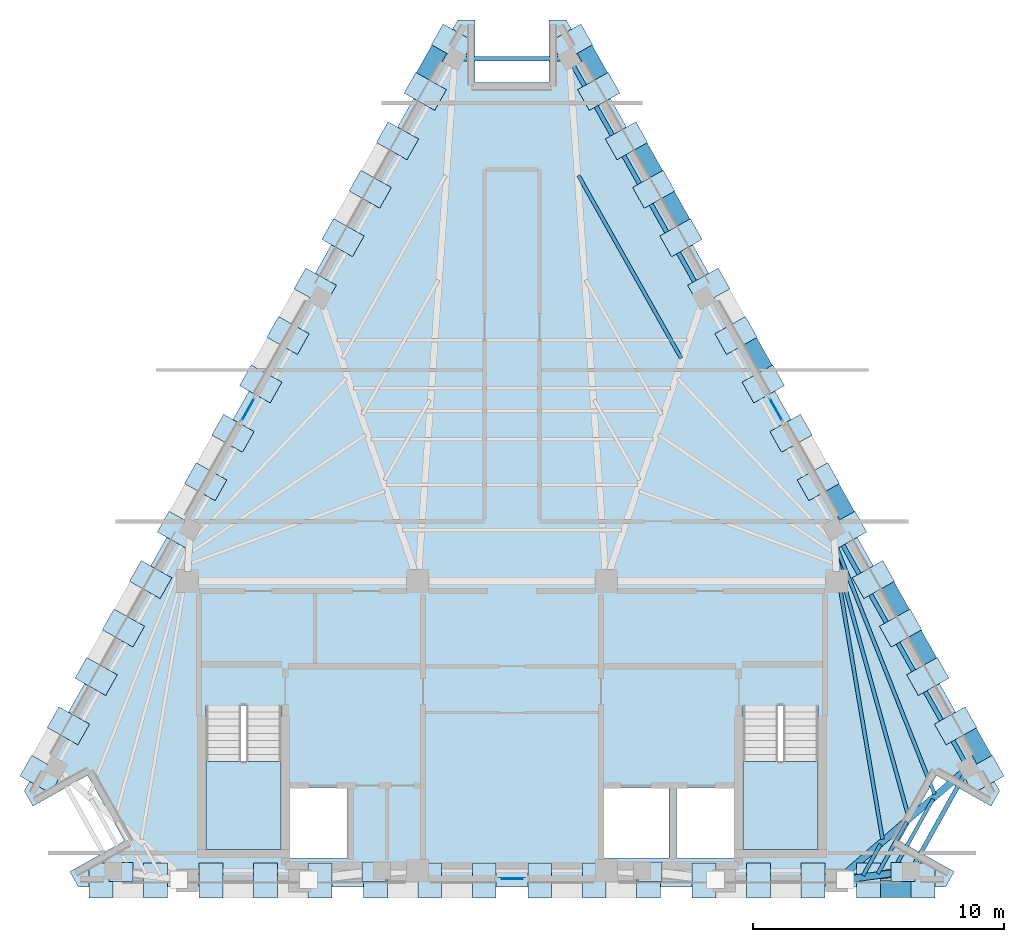
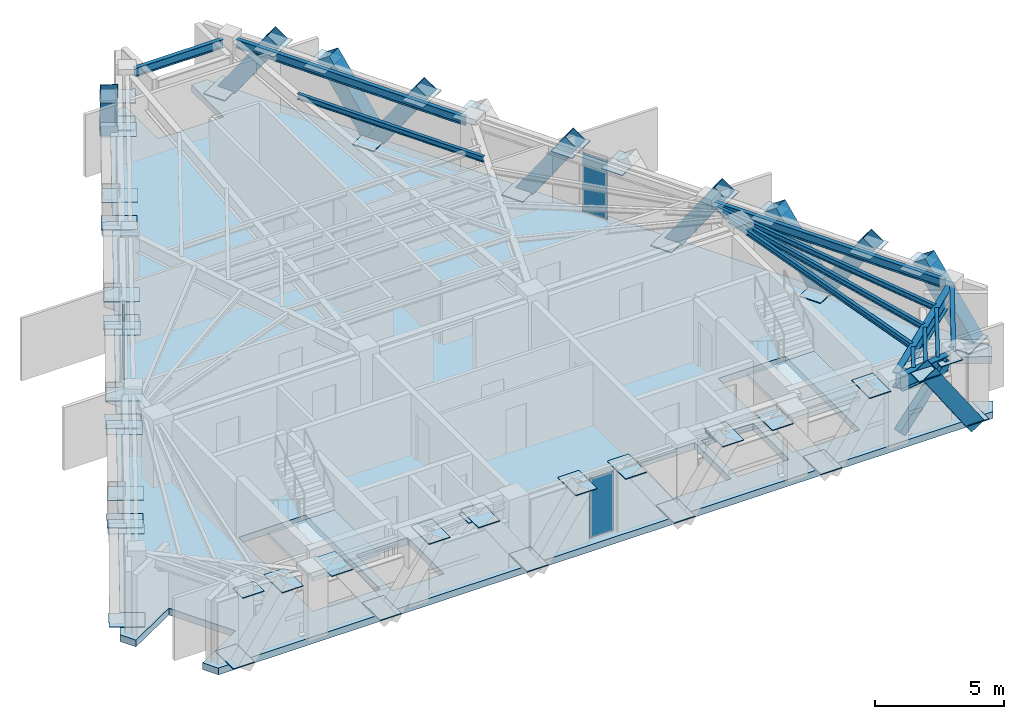
# One storey, part 3 of 7: 55 plates, 13 beams, 11 members, 3 slabs, 5 elements without a shape of their own.
"""IFC4 building model written with IfcOpenShell, lengths in metres."""

from ifc_helpers import new_model, si_unit, direction, frame, origin, origin_2d, place, context, subcontext, project, spatial, polyline, rectangle, hollow_rectangle, i_section, outline, extrude, material, layer, layer_set, material_profile, profile_set, type_object, element, aggregate, save


model = new_model("IFC4")

# Units and contexts
model_context = context("Model", 3, precision=1e-05, world=origin(), true_north=direction((0.0, 1.0)))
body_context = subcontext(model_context, "Body", "Model", "MODEL_VIEW")
ifc_project = project(units=[si_unit("LENGTHUNIT", "METRE"), si_unit("AREAUNIT", "SQUARE_METRE"), si_unit("VOLUMEUNIT", "CUBIC_METRE"), si_unit("PLANEANGLEUNIT", "RADIAN"), si_unit("MASSUNIT", "GRAM", prefix="KILO")], contexts=[model_context])

# Site, building, storey
site_placement = place(None, origin())
site = spatial("IfcSite", under=ifc_project, at=site_placement, CompositionType="ELEMENT")
building_placement = place(site_placement, origin())
building = spatial("IfcBuilding", under=site, at=building_placement, Name="Quenlor Broadcast Tower", CompositionType="ELEMENT")
storey_placement = place(building_placement, frame((0.0, 0.0, 280.5)))
storey = spatial("IfcBuildingStorey", under=building, at=storey_placement, Name="L78", CompositionType="ELEMENT", Elevation=280.5)

# Beams
ifc_material_1 = material(Name="Steel S355", Category="steel")
ifc_material_profile_1 = material_profile(ifc_material_1, i_section(OverallWidth=0.14599609375, OverallDepth=0.256103515625, WebThickness=0.00634765625, FlangeThickness=0.010986328125, FilletRadius=0.0087890625, at=origin_2d()))
ifc_profile_set_1 = profile_set([ifc_material_profile_1], Name="Steel S355 250UB37.3")
beam_type_1 = type_object("IfcBeamType", Name="Crown Deck Joist Steel S355 250UB37.3", PredefinedType="JOIST", material=ifc_profile_set_1)
beam_1_placement = place(storey_placement, frame((14.76806640625, -15.09619140625, 2.822021484375), z_axis=(-0.166553293246, 0.986032454085, 0.0), x_axis=(-0.986032454085, -0.166553293246, 0.0)))
element("IfcBeam", 1, at=beam_1_placement, inside=storey, type_object=beam_type_1, Name="L78 Secondary Composite Joist 16", PredefinedType="JOIST", context=body_context, shape_type="SweptSolid", body=[
    extrude(i_section(OverallWidth=0.14599609375, OverallDepth=0.256103515625, WebThickness=0.00634765625, FlangeThickness=0.010986328125, FilletRadius=0.0087890625, at=origin_2d()), origin(), (0.0, 0.0, 1.0), 11.097900390625),
])
beam_2_placement = place(storey_placement, frame((15.806396484375, -14.197998046875, 2.822021484375), z_axis=(-0.26744552871, 0.96357298072, 0.0), x_axis=(-0.96357298072, -0.26744552871, 0.0)))
element("IfcBeam", 2, at=beam_2_placement, inside=storey, type_object=beam_type_1, Name="L78 Secondary Composite Joist 17", PredefinedType="JOIST", context=body_context, shape_type="SweptSolid", body=[
    extrude(i_section(OverallWidth=0.14599609375, OverallDepth=0.256103515625, WebThickness=0.00634765625, FlangeThickness=0.010986328125, FilletRadius=0.0087890625, at=origin_2d()), origin(), (0.0, 0.0, 1.0), 10.856689453125),
])
beam_3_placement = place(storey_placement, frame((16.8447265625, -13.300537109375, 2.822021484375), z_axis=(-0.368680258049, 0.929556274426, 0.0), x_axis=(-0.929556274426, -0.368680258049, 0.0)))
element("IfcBeam", 3, at=beam_3_placement, inside=storey, type_object=beam_type_1, Name="L78 Secondary Composite Joist 18", PredefinedType="JOIST", context=body_context, shape_type="SweptSolid", body=[
    extrude(i_section(OverallWidth=0.14599609375, OverallDepth=0.256103515625, WebThickness=0.00634765625, FlangeThickness=0.010986328125, FilletRadius=0.0087890625, at=origin_2d()), origin(), (0.0, 0.0, 1.0), 10.737548828125),
])
beam_4_placement = place(storey_placement, frame((13.9912109375, -16.544189453125, 2.822021484375), z_axis=(0.486624304452, 0.873611347406, 0.0), x_axis=(-0.873611347406, 0.486624304452, 0.0)))
element("IfcBeam", 4, at=beam_4_placement, inside=storey, type_object=beam_type_1, Name="L78 Secondary Composite Joist 22", PredefinedType="JOIST", context=body_context, shape_type="SweptSolid", body=[
    extrude(i_section(OverallWidth=0.14599609375, OverallDepth=0.256103515625, WebThickness=0.00634765625, FlangeThickness=0.010986328125, FilletRadius=0.0087890625, at=origin_2d()), origin(), (0.0, 0.0, 1.0), 1.435791015625),
])
beam_5_placement = place(storey_placement, frame((14.58056640625, -16.464111328125, 2.822021484375), z_axis=(0.486820963037, 0.873501774439, 0.0), x_axis=(-0.873501774439, 0.486820963037, 0.0)))
element("IfcBeam", 5, at=beam_5_placement, inside=storey, type_object=beam_type_1, Name="L78 Secondary Composite Joist 23", PredefinedType="JOIST", context=body_context, shape_type="SweptSolid", body=[
    extrude(i_section(OverallWidth=0.14599609375, OverallDepth=0.256103515625, WebThickness=0.00634765625, FlangeThickness=0.010986328125, FilletRadius=0.0087890625, at=origin_2d()), origin(), (0.0, 0.0, 1.0), 2.37451171875),
])
beam_6_placement = place(storey_placement, frame((15.170166015625, -16.384033203125, 2.822021484375), z_axis=(0.486762404011, 0.873534408046, 0.0), x_axis=(-0.873534408046, 0.486762404011, 0.0)))
element("IfcBeam", 6, at=beam_6_placement, inside=storey, type_object=beam_type_1, Name="L78 Secondary Composite Joist 24", PredefinedType="JOIST", context=body_context, shape_type="SweptSolid", body=[
    extrude(i_section(OverallWidth=0.14599609375, OverallDepth=0.256103515625, WebThickness=0.00634765625, FlangeThickness=0.010986328125, FilletRadius=0.0087890625, at=origin_2d()), origin(), (0.0, 0.0, 1.0), 3.313232421875),
])
beam_7_placement = place(storey_placement, frame((2.646240234375, 11.364013671875, 2.822021484375), z_axis=(0.490264011812, -0.871573977768, 0.0), x_axis=(0.871573977768, 0.490264011812, 0.0)))
element("IfcBeam", 7, at=beam_7_placement, inside=storey, type_object=beam_type_1, Name="L78 Secondary Composite Joist 30", PredefinedType="JOIST", context=body_context, shape_type="SweptSolid", body=[
    extrude(i_section(OverallWidth=0.14599609375, OverallDepth=0.256103515625, WebThickness=0.00634765625, FlangeThickness=0.010986328125, FilletRadius=0.0087890625, at=origin_2d()), origin(), (0.0, 0.0, 1.0), 8.362548828125),
])
ifc_material_2 = material(Name="Steel S355", Category="steel")
ifc_material_profile_2 = material_profile(ifc_material_2, i_section(OverallWidth=0.27490234375, OverallDepth=0.716064453125, WebThickness=0.013916015625, FlangeThickness=0.02490234375, FilletRadius=0.013916015625, at=origin_2d()))
ifc_profile_set_2 = profile_set([ifc_material_profile_2], Name="Steel S355 700WB173")
beam_type_2 = type_object("IfcBeamType", Name="Crown Plant Ring Girder Steel S355 700WB173", PredefinedType="BEAM", material=ifc_profile_set_2)
beam_8_placement = place(storey_placement, frame((15.59033203125, -16.3916015625, 2.592041015625), z_axis=(-0.990908681621, -0.134536183561, 0.0), x_axis=(0.134536183561, -0.990908681621, 0.0)))
element("IfcBeam", 8, at=beam_8_placement, inside=storey, type_object=beam_type_2, Name="L78 Primary Radial Beam S4", PredefinedType="BEAM", context=body_context, shape_type="SweptSolid", body=[
    extrude(i_section(OverallWidth=0.27490234375, OverallDepth=0.716064453125, WebThickness=0.013916015625, FlangeThickness=0.02490234375, FilletRadius=0.013916015625, at=origin_2d()), origin(), (0.0, 0.0, 1.0), 2.28466796875),
])
beam_9_placement = place(storey_placement, frame((17.947265625, -12.451904296875, 2.592041015625), z_axis=(-0.758156826123, -0.652072255968, 0.0), x_axis=(0.652072255968, -0.758156826123, 0.0)))
element("IfcBeam", 9, at=beam_9_placement, inside=storey, type_object=beam_type_2, Name="L78 Primary Radial Beam NE1", PredefinedType="BEAM", context=body_context, shape_type="SweptSolid", body=[
    extrude(i_section(OverallWidth=0.27490234375, OverallDepth=0.716064453125, WebThickness=0.013916015625, FlangeThickness=0.02490234375, FilletRadius=0.013916015625, at=origin_2d()), origin(), (0.0, 0.0, 1.0), 6.21142578125),
])

# Members
ifc_material_3 = material(Name="Steel S355", Category="steel")
ifc_material_profile_3 = material_profile(ifc_material_3, hollow_rectangle(XDim=0.35009765625, YDim=0.35009765625, WallThickness=0.02001953125, at=origin_2d()))
ifc_profile_set_3 = profile_set([ifc_material_profile_3], Name="Steel S355 RHS350x350x20")
member_type_1 = type_object("IfcMemberType", Name="Crown Sloped Raking Chord Steel S355 RHS350x20", PredefinedType="CHORD", material=ifc_profile_set_3)
member_1_placement = place(storey_placement, frame((13.286865234375, -16.704345703125, 0.25), z_axis=(0.676132711062, 0.091758297669, 0.731043755079), x_axis=(-0.134477773083, 0.990916610289, 0.0)))
element("IfcMember", 10, at=member_1_placement, inside=storey, type_object=member_type_1, Name="L78 Crown Plant Bracing Chord 2", PredefinedType="CHORD", context=body_context, shape_type="SweptSolid", body=[
    extrude(hollow_rectangle(XDim=0.35009765625, YDim=0.35009765625, WallThickness=0.02001953125, at=origin_2d()), origin(), (0.0, 0.0, 1.0), 3.392333984375),
])
ifc_material_4 = material(Name="Steel S355", Category="steel")
ifc_material_profile_4 = material_profile(ifc_material_4, hollow_rectangle(XDim=0.679931640625, YDim=0.679931640625, WallThickness=0.02001953125, at=origin_2d()))
ifc_profile_set_4 = profile_set([ifc_material_profile_4], Name="Steel S355 RHS680x680x20")
member_type_2 = type_object("IfcMemberType", Name="Perimeter Diagonal Lattice Brace Z5-Crown Steel S355 RHS680x20", PredefinedType="BRACE", material=ifc_profile_set_4)
member_2_placement = place(storey_placement, frame((16.366943359375, -17.070068359375, -0.1201171875), z_axis=(-0.559086056828, 0.0, 0.829109631509), x_axis=(0.0, -1.0, 0.0)))
element("IfcMember", 11, at=member_2_placement, inside=storey, type_object=member_type_2, Name="L78 Perimeter Diamond Lattice S-C1S", PredefinedType="BRACE", context=body_context, shape_type="SweptSolid", body=[
    extrude(hollow_rectangle(XDim=0.679931640625, YDim=0.679931640625, WallThickness=0.02001953125, at=origin_2d()), origin(), (0.0, 0.0, 1.0), 3.85986328125),
])
for number, where, z_axis, x_axis, name in (
    (12, (2.668701171875, 16.79833984375, -0.1201171875), (0.277997364392, -0.494224518748, 0.823686585092), (0.871578496623, 0.490255978266, 0.0), "L78 Perimeter Diamond Lattice NE-C1S"),
    (13, (5.935302734375, 10.991455078125, -0.1201171875), (-0.27805534502, 0.494215884426, 0.823672194921), (-0.871531143255, -0.490340153707, 0.0), "L78 Perimeter Diamond Lattice NE-C1B"),
):
    element("IfcMember", number, at=place(storey_placement, frame(where, z_axis=z_axis, x_axis=x_axis)), inside=storey, type_object=member_type_2, Name=name, PredefinedType="BRACE", context=body_context, shape_type="SweptSolid", body=[
        extrude(hollow_rectangle(XDim=0.679931640625, YDim=0.679931640625, WallThickness=0.02001953125, at=origin_2d()), origin(), (0.0, 0.0, 1.0), 3.88525390625),
    ])
for number, where, z_axis, x_axis, name in (
    (14, (5.9482421875, 10.968017578125, -0.1201171875), (0.278005997817, -0.494177026861, 0.823712165323), (0.87155185771, 0.490303333991, 0.0), "L78 Perimeter Diamond Lattice NE-C2S"),
    (15, (9.227783203125, 5.1376953125, -0.1201171875), (0.278005997817, -0.494177026861, 0.823712165323), (0.87155185771, 0.490303333991, 0.0), "L78 Perimeter Diamond Lattice NE-C3S"),
):
    element("IfcMember", number, at=place(storey_placement, frame(where, z_axis=z_axis, x_axis=x_axis)), inside=storey, type_object=member_type_2, Name=name, PredefinedType="BRACE", context=body_context, shape_type="SweptSolid", body=[
        extrude(hollow_rectangle(XDim=0.679931640625, YDim=0.679931640625, WallThickness=0.02001953125, at=origin_2d()), origin(), (0.0, 0.0, 1.0), 3.885009765625),
    ])
for number, where, z_axis, x_axis, name in (
    (16, (12.50732421875, -0.6923828125, -0.1201171875), (0.277997364392, -0.494224518748, 0.823686585092), (0.871578496623, 0.490255978266, 0.0), "L78 Perimeter Diamond Lattice NE-C4S"),
    (17, (15.773681640625, -6.499267578125, -0.1201171875), (-0.277997364392, 0.494224518748, 0.823686585092), (-0.871578496623, -0.490255978266, 0.0), "L78 Perimeter Diamond Lattice NE-C4B"),
):
    element("IfcMember", number, at=place(storey_placement, frame(where, z_axis=z_axis, x_axis=x_axis)), inside=storey, type_object=member_type_2, Name=name, PredefinedType="BRACE", context=body_context, shape_type="SweptSolid", body=[
        extrude(hollow_rectangle(XDim=0.679931640625, YDim=0.679931640625, WallThickness=0.02001953125, at=origin_2d()), origin(), (0.0, 0.0, 1.0), 3.88525390625),
    ])
member_3_placement = place(storey_placement, frame((15.786865234375, -6.522705078125, -0.1201171875), z_axis=(0.277948012651, -0.49418565939, 0.823726554335), x_axis=(0.871599215793, 0.490219141843, 0.0)))
element("IfcMember", 18, at=member_3_placement, inside=storey, type_object=member_type_2, Name="L78 Perimeter Diamond Lattice NE-C5S", PredefinedType="BRACE", context=body_context, shape_type="SweptSolid", body=[
    extrude(hollow_rectangle(XDim=0.679931640625, YDim=0.679931640625, WallThickness=0.02001953125, at=origin_2d()), origin(), (0.0, 0.0, 1.0), 3.885009765625),
])
for number, where, z_axis, x_axis, name in (
    (19, (19.05322265625, -12.32958984375, -0.1201171875), (-0.277997364392, 0.494224518748, 0.823686585092), (-0.871578496623, -0.490255978266, 0.0), "L78 Perimeter Diamond Lattice NE-C5B"),
    (20, (-2.668701171875, 16.79833984375, -0.1201171875), (-0.277997364392, -0.494224518748, 0.823686585092), (0.871578496623, -0.490255978266, 0.0), "L78 Perimeter Diamond Lattice NW-C5B"),
):
    element("IfcMember", number, at=place(storey_placement, frame(where, z_axis=z_axis, x_axis=x_axis)), inside=storey, type_object=member_type_2, Name=name, PredefinedType="BRACE", context=body_context, shape_type="SweptSolid", body=[
        extrude(hollow_rectangle(XDim=0.679931640625, YDim=0.679931640625, WallThickness=0.02001953125, at=origin_2d()), origin(), (0.0, 0.0, 1.0), 3.88525390625),
    ])

# Beams
ifc_material_5 = material(Name="Steel S355", Category="steel")
ifc_material_profile_5 = material_profile(ifc_material_5, i_section(OverallWidth=0.177978515625, OverallDepth=0.406494140625, WebThickness=0.0078125, FlangeThickness=0.0126953125, FilletRadius=0.011474609375, at=origin_2d()))
ifc_profile_set_5 = profile_set([ifc_material_profile_5], Name="Steel S355 410UB59.7")
beam_type_3 = type_object("IfcBeamType", Name="Perimeter Spandrel Beam Z5 Steel S355 410UB59.7", PredefinedType="SPANDREL", material=ifc_profile_set_5)
beam_10_placement = place(storey_placement, frame((16.048583984375, -16.0791015625, 2.746826171875), z_axis=(0.486777294572, 0.873526110365, 0.0), x_axis=(-0.873526110365, 0.486777294572, 0.0)))
element("IfcBeam", 21, at=beam_10_placement, inside=storey, type_object=beam_type_3, Name="L78 Spandrel Beam S4-NE1", PredefinedType="SPANDREL", context=body_context, shape_type="SweptSolid", body=[
    extrude(i_section(OverallWidth=0.177978515625, OverallDepth=0.406494140625, WebThickness=0.0078125, FlangeThickness=0.0126953125, FilletRadius=0.011474609375, at=origin_2d()), origin(), (0.0, 0.0, 1.0), 4.073486328125),
])
beam_11_placement = place(storey_placement, frame((18.0302734375, -11.979736328125, 2.746826171875), z_axis=(-0.490249992991, 0.871581863265, 0.0), x_axis=(-0.871581863265, -0.490249992991, 0.0)))
element("IfcBeam", 22, at=beam_11_placement, inside=storey, type_object=beam_type_3, Name="L78 Spandrel Beam NE1-NE2", PredefinedType="SPANDREL", context=body_context, shape_type="SweptSolid", body=[
    extrude(i_section(OverallWidth=0.177978515625, OverallDepth=0.406494140625, WebThickness=0.0078125, FlangeThickness=0.0126953125, FilletRadius=0.011474609375, at=origin_2d()), origin(), (0.0, 0.0, 1.0), 10.306396484375),
])
beam_12_placement = place(storey_placement, frame((7.489501953125, 6.759521484375, 2.746826171875), z_axis=(-0.490260114949, 0.871576169758, 0.0), x_axis=(-0.871576169758, -0.490260114949, 0.0)))
element("IfcBeam", 23, at=beam_12_placement, inside=storey, type_object=beam_type_3, Name="L78 Spandrel Beam NE3-NE4", PredefinedType="SPANDREL", context=body_context, shape_type="SweptSolid", body=[
    extrude(i_section(OverallWidth=0.177978515625, OverallDepth=0.406494140625, WebThickness=0.0078125, FlangeThickness=0.0126953125, FilletRadius=0.011474609375, at=origin_2d()), origin(), (0.0, 0.0, 1.0), 10.30615234375),
])
beam_13_placement = place(storey_placement, frame((1.974609375, 16.012451171875, 2.746826171875), z_axis=(-1.0, 0.0, 0.0), x_axis=(0.0, -1.0, 0.0)))
element("IfcBeam", 24, at=beam_13_placement, inside=storey, type_object=beam_type_3, Name="L78 Spandrel Beam NE4-NW1", PredefinedType="SPANDREL", context=body_context, shape_type="SweptSolid", body=[
    extrude(i_section(OverallWidth=0.177978515625, OverallDepth=0.406494140625, WebThickness=0.0078125, FlangeThickness=0.0126953125, FilletRadius=0.011474609375, at=origin_2d()), origin(), (0.0, 0.0, 1.0), 3.94921875),
])

# Curtain wall, plate
ifc_material_6 = material(Name="Architectural Terracotta and Low-E Glazing", Category="masonry")
curtain_wall_type = type_object("IfcCurtainWallType", Name="Station Concourse and Crown Terracotta Curtain Wall", PredefinedType="NOTDEFINED", material=ifc_material_6)
curtain_wall_1_placement = place(storey_placement, origin())
curtain_wall_1 = element("IfcCurtainWall", 25, at=curtain_wall_1_placement, inside=storey, type_object=curtain_wall_type, Name="L78 Curtain Wall CW6 (L78-S-G1)", PredefinedType="NOTDEFINED")
ifc_material_7 = material(Name="Double Glazed Low-E Solar Glass", Category="glass")
ifc_layer_1 = layer(ifc_material_7, 0.033935546875)
ifc_layer_set_1 = layer_set([ifc_layer_1], Name="CW6 Double Glazed Vision Panel 34")
plate_type_1 = type_object("IfcPlateType", Name="CW6 Double Glazed Vision Panel 34", PredefinedType="CURTAIN_PANEL", material=ifc_layer_set_1)
plate_1_placement = place(storey_placement, frame((0.0, -16.675048828125, 0.08203125), z_axis=(0.0, 0.0, 1.0), x_axis=(-1.0, 0.0, 0.0)))
plate_1 = element("IfcPlate", 26, at=plate_1_placement, type_object=plate_type_1, Name="CW6 panel 1.1", PredefinedType="CURTAIN_PANEL", context=body_context, shape_type="SweptSolid", body=[
    extrude(rectangle(XDim=1.06591796875, YDim=0.033935546875, at=origin_2d()), origin(), (0.0, 0.0, 1.0), 2.785888671875),
])
aggregate(curtain_wall_1, [plate_1])

curtain_wall_2_placement = place(storey_placement, origin())
curtain_wall_2 = element("IfcCurtainWall", 27, at=curtain_wall_2_placement, inside=storey, type_object=curtain_wall_type, Name="L78 Curtain Wall CW6 (L78-NE-G1)", PredefinedType="NOTDEFINED")
plate_2_placement = place(storey_placement, frame((10.5166015625, 2.040771484375, 0.08203125), z_axis=(0.0, 0.0, 1.0), x_axis=(0.490302065441, -0.871552571349, 0.0)))
plate_2 = element("IfcPlate", 28, at=plate_2_placement, type_object=plate_type_1, Name="CW6 panel 1.1", PredefinedType="CURTAIN_PANEL", context=body_context, shape_type="SweptSolid", body=[
    extrude(rectangle(XDim=1.115234375, YDim=0.033935546875, at=origin_2d()), origin(), (0.0, 0.0, 1.0), 2.785888671875),
])
aggregate(curtain_wall_2, [plate_2])

curtain_wall_3_placement = place(storey_placement, origin())
curtain_wall_3 = element("IfcCurtainWall", 29, at=curtain_wall_3_placement, inside=storey, type_object=curtain_wall_type, Name="L78 Curtain Wall CW6 (L78-NW-G1)", PredefinedType="NOTDEFINED")
plate_3_placement = place(storey_placement, frame((-10.5166015625, 2.040771484375, 0.08203125), z_axis=(0.0, 0.0, 1.0), x_axis=(0.490302065441, 0.871552571349, 0.0)))
plate_3 = element("IfcPlate", 30, at=plate_3_placement, type_object=plate_type_1, Name="CW6 panel 1.1", PredefinedType="CURTAIN_PANEL", context=body_context, shape_type="SweptSolid", body=[
    extrude(rectangle(XDim=1.115234375, YDim=0.033935546875, at=origin_2d()), origin(), (0.0, 0.0, 1.0), 2.785888671875),
])
aggregate(curtain_wall_3, [plate_3])

# Slab
ifc_material_8 = material(Name="Concrete C50/60", Category="concrete")
ifc_layer_2 = layer(ifc_material_8, 0.320068359375)
ifc_layer_set_2 = layer_set([ifc_layer_2], Name="Crown Plant Concrete C50/60 Slab 320")
slab_type_1 = type_object("IfcSlabType", Name="Crown Plant Concrete C50/60 Slab 320", PredefinedType="FLOOR", material=ifc_layer_set_2)
slab_1_placement = place(storey_placement, frame((0.0, 0.0, -0.320068359375)))
element("IfcSlab", 31, at=slab_1_placement, inside=storey, type_object=slab_type_1, Name="L78 Structural Floor Slab", PredefinedType="FLOOR", context=body_context, shape_type="SweptSolid", body=[
    extrude(outline(polyline([(17.280029296875, -17.0), (17.62548828125, -16.385498046875), (15.44677734375, -15.159912109375), (16.91552734375, -12.548583984375), (19.094482421875, -13.7744140625), (19.43994140625, -13.159912109375), (2.159912109375, 17.56005859375), (1.46875, 17.56005859375), (1.46875, 15.06005859375), (-1.46875, 15.06005859375), (-1.46875, 17.56005859375), (-2.159912109375, 17.56005859375), (-19.43994140625, -13.159912109375), (-19.094482421875, -13.7744140625), (-16.91552734375, -12.548583984375), (-15.44677734375, -15.159912109375), (-17.62548828125, -16.385498046875), (-17.280029296875, -17.0), (17.280029296875, -17.0)]), holes=[polyline([(-12.199951171875, -9.758056640625), (-12.199951171875, -15.5), (-9.199951171875, -15.5), (-9.199951171875, -9.758056640625), (-12.199951171875, -9.758056640625)]), polyline([(9.199951171875, -9.758056640625), (9.199951171875, -15.5), (12.199951171875, -15.5), (12.199951171875, -9.758056640625), (9.199951171875, -9.758056640625)]), polyline([(-8.85009765625, -15.85009765625), (-6.550048828125, -15.85009765625), (-6.550048828125, -13.050048828125), (-8.85009765625, -13.050048828125), (-8.85009765625, -15.85009765625)]), polyline([(6.550048828125, -15.85009765625), (8.85009765625, -15.85009765625), (8.85009765625, -13.050048828125), (6.550048828125, -13.050048828125), (6.550048828125, -15.85009765625)]), polyline([(3.64990234375, -15.85009765625), (6.25, -15.85009765625), (6.25, -13.050048828125), (3.64990234375, -13.050048828125), (3.64990234375, -15.85009765625)])]), origin(), (0.0, 0.0, 1.0), 0.320068359375),
])

# Stair, slab
ifc_material_9 = material(Name="Precast concrete C40/50", Category="concrete")
stair_type = type_object("IfcStairType", Name="Precast Concrete C40/50 Dogleg Stair H320", PredefinedType="HALF_TURN_STAIR", material=ifc_material_9)
stair_1_placement = place(storey_placement, origin())
stair_1 = element("IfcStair", 32, at=stair_1_placement, inside=storey, type_object=stair_type, Name="L78 West Core Fire-Isolated Exit Stair ST-1", PredefinedType="HALF_TURN_STAIR")
ifc_material_10 = material(Name="Precast concrete C40/50", Category="concrete")
ifc_layer_3 = layer(ifc_material_10, 0.199951171875)
ifc_layer_set_3 = layer_set([ifc_layer_3], Name="Precast Concrete C40/50 Stair Landing Slab 200")
slab_type_2 = type_object("IfcSlabType", Name="Precast Concrete C40/50 Stair Landing Slab 200", PredefinedType="LANDING", material=ifc_layer_set_3)
slab_2_placement = place(storey_placement, frame((0.0, 0.0, 1.39990234375)))
slab_2 = element("IfcSlab", 33, at=slab_2_placement, type_object=slab_type_2, Name="ST-1 landing 1", PredefinedType="LANDING", context=body_context, shape_type="SweptSolid", body=[
    extrude(outline(polyline([(-12.199951171875, -11.989990234375), (-12.199951171875, -15.5), (-9.199951171875, -15.5), (-9.199951171875, -11.989990234375), (-12.199951171875, -11.989990234375)])), origin(), (0.0, 0.0, 1.0), 0.2001953125),
])
aggregate(stair_1, [slab_2])

stair_2_placement = place(storey_placement, origin())
stair_2 = element("IfcStair", 34, at=stair_2_placement, inside=storey, type_object=stair_type, Name="L78 East Core Fire-Isolated Exit Stair ST-2", PredefinedType="HALF_TURN_STAIR")
slab_3_placement = place(storey_placement, frame((0.0, 0.0, 1.39990234375)))
slab_3 = element("IfcSlab", 35, at=slab_3_placement, type_object=slab_type_2, Name="ST-2 landing 1", PredefinedType="LANDING", context=body_context, shape_type="SweptSolid", body=[
    extrude(outline(polyline([(9.199951171875, -11.989990234375), (9.199951171875, -15.5), (12.199951171875, -15.5), (12.199951171875, -11.989990234375), (9.199951171875, -11.989990234375)])), origin(), (0.0, 0.0, 1.0), 0.2001953125),
])
aggregate(stair_2, [slab_3])

# Plates
ifc_material_11 = material(Name="Steel S355", Category="steel")
ifc_layer_4 = layer(ifc_material_11, 0.030029296875)
ifc_layer_set_4 = layer_set([ifc_layer_4], Name="Sloped Crown Ridge Steel S355 Gusset Plate 960x760x30")
plate_type_2 = type_object("IfcPlateType", Name="Sloped Crown Ridge Steel S355 Gusset Plate 960x760x30", PredefinedType="SHEET", material=ifc_layer_set_4)
for number, where, z_axis, x_axis, name in (
    (36, (-15.58056640625, -16.39306640625, 2.71484375), (0.0, 0.0, 1.0), (1.0, 0.0, 0.0), "L78 Crown Plant Gusset Plate CRN2-1"),
    (37, (15.58056640625, -16.39306640625, 2.71484375), (0.0, 0.0, 1.0), (1.0, 0.0, 0.0), "L78 Crown Plant Gusset Plate CRN2-2"),
    (38, (-5.501708984375, -16.388916015625, 2.71484375), (0.0, 0.0, 1.0), (1.0, 0.0, 0.0), "L78 Crown Plant Gusset Plate CRN2-3"),
    (39, (5.501708984375, -16.388916015625, 2.71484375), (0.0, 0.0, 1.0), (1.0, 0.0, 0.0), "L78 Crown Plant Gusset Plate CRN2-4"),
):
    element("IfcPlate", number, at=place(storey_placement, frame(where, z_axis=z_axis, x_axis=x_axis)), inside=storey, type_object=plate_type_2, Name=name, PredefinedType="SHEET", context=body_context, shape_type="SweptSolid", body=[
        extrude(rectangle(XDim=0.9599609375, YDim=0.760009765625, at=origin_2d()), origin(), (0.0, 0.0, 1.0), 0.030029296875),
    ])
ifc_material_12 = material(Name="Steel S355", Category="steel")
ifc_layer_5 = layer(ifc_material_12, 0.035888671875)
ifc_layer_set_5 = layer_set([ifc_layer_5], Name="Transfer Truss Steel S355 Gusset Node Plate 1400x950x36")
plate_type_3 = type_object("IfcPlateType", Name="Transfer Truss Steel S355 Gusset Node Plate 1400x950x36", PredefinedType="SHEET", material=ifc_layer_set_5)
for number, where, z_axis, x_axis, name in (
    (40, (16.3798828125, -16.735107421875, 0.0419921875), (0.0, 0.0, 1.0), (0.0, -1.0, 0.0), "L78 Lattice Tie Gusset Node S-B0"),
    (41, (14.208984375, -16.735107421875, 2.8818359375), (0.0, 0.0, 1.0), (0.0, -1.0, 0.0), "L78 Lattice Tie Gusset Node S-T1"),
    (42, (9.827880859375, -16.735107421875, 0.0419921875), (0.0, 0.0, 1.0), (0.0, -1.0, 0.0), "L78 Lattice Tie Gusset Node S-B3"),
    (43, (11.998779296875, -16.735107421875, 2.8818359375), (0.0, 0.0, 1.0), (0.0, -1.0, 0.0), "L78 Lattice Tie Gusset Node S-T2"),
    (44, (7.656982421875, -16.735107421875, 2.8818359375), (0.0, 0.0, 1.0), (0.0, -1.0, 0.0), "L78 Lattice Tie Gusset Node S-T4"),
    (45, (3.27587890625, -16.735107421875, 0.0419921875), (0.0, 0.0, 1.0), (0.0, -1.0, 0.0), "L78 Lattice Tie Gusset Node S-B6"),
    (46, (5.447021484375, -16.735107421875, 2.8818359375), (0.0, 0.0, 1.0), (0.0, -1.0, 0.0), "L78 Lattice Tie Gusset Node S-T5"),
    (47, (1.10498046875, -16.735107421875, 2.8818359375), (0.0, 0.0, 1.0), (0.0, -1.0, 0.0), "L78 Lattice Tie Gusset Node S-T7"),
    (48, (-3.27587890625, -16.735107421875, 0.0419921875), (0.0, 0.0, 1.0), (0.0, -1.0, 0.0), "L78 Lattice Tie Gusset Node S-B9"),
    (49, (-1.10498046875, -16.735107421875, 2.8818359375), (0.0, 0.0, 1.0), (0.0, -1.0, 0.0), "L78 Lattice Tie Gusset Node S-T8"),
    (50, (-5.447021484375, -16.735107421875, 2.8818359375), (0.0, 0.0, 1.0), (0.0, -1.0, 0.0), "L78 Lattice Tie Gusset Node S-T10"),
    (51, (-9.827880859375, -16.735107421875, 0.0419921875), (0.0, 0.0, 1.0), (0.0, -1.0, 0.0), "L78 Lattice Tie Gusset Node S-B12"),
    (52, (-7.656982421875, -16.735107421875, 2.8818359375), (0.0, 0.0, 1.0), (0.0, -1.0, 0.0), "L78 Lattice Tie Gusset Node S-T11"),
    (53, (-11.998779296875, -16.735107421875, 2.8818359375), (0.0, 0.0, 1.0), (0.0, -1.0, 0.0), "L78 Lattice Tie Gusset Node S-T13"),
    (54, (-16.3798828125, -16.735107421875, 0.0419921875), (0.0, 0.0, 1.0), (0.0, -1.0, 0.0), "L78 Lattice Tie Gusset Node S-B15"),
    (55, (-14.208984375, -16.735107421875, 2.8818359375), (0.0, 0.0, 1.0), (0.0, -1.0, 0.0), "L78 Lattice Tie Gusset Node S-T14"),
    (56, (2.3701171875, 16.645751953125, 0.0419921875), (0.0, 0.0, 1.0), (0.871556314255, 0.490295412055, 0.0), "L78 Lattice Tie Gusset Node NE-B0"),
    (57, (3.456787109375, 14.7138671875, 2.8818359375), (0.0, 0.0, 1.0), (0.871556314255, 0.490295412055, 0.0), "L78 Lattice Tie Gusset Node NE-T1"),
    (58, (5.649658203125, 10.8154296875, 0.0419921875), (0.0, 0.0, 1.0), (0.871556314255, 0.490295412055, 0.0), "L78 Lattice Tie Gusset Node NE-B3"),
    (59, (4.56298828125, 12.747314453125, 2.8818359375), (0.0, 0.0, 1.0), (0.871556314255, 0.490295412055, 0.0), "L78 Lattice Tie Gusset Node NE-T2"),
    (60, (6.736328125, 8.8837890625, 2.8818359375), (0.0, 0.0, 1.0), (0.871556314255, 0.490295412055, 0.0), "L78 Lattice Tie Gusset Node NE-T4"),
    (61, (8.92919921875, 4.985107421875, 0.0419921875), (0.0, 0.0, 1.0), (0.871556314255, 0.490295412055, 0.0), "L78 Lattice Tie Gusset Node NE-B6"),
    (62, (7.842529296875, 6.9169921875, 2.8818359375), (0.0, 0.0, 1.0), (0.871556314255, 0.490295412055, 0.0), "L78 Lattice Tie Gusset Node NE-T5"),
    (63, (10.015869140625, 3.053466796875, 2.8818359375), (0.0, 0.0, 1.0), (0.871556314255, 0.490295412055, 0.0), "L78 Lattice Tie Gusset Node NE-T7"),
    (64, (12.208740234375, -0.844970703125, 0.0419921875), (0.0, 0.0, 1.0), (0.871556314255, 0.490295412055, 0.0), "L78 Lattice Tie Gusset Node NE-B9"),
    (65, (11.1220703125, 1.086669921875, 2.8818359375), (0.0, 0.0, 1.0), (0.871556314255, 0.490295412055, 0.0), "L78 Lattice Tie Gusset Node NE-T8"),
    (66, (13.29541015625, -2.77685546875, 2.8818359375), (0.0, 0.0, 1.0), (0.871556314255, 0.490295412055, 0.0), "L78 Lattice Tie Gusset Node NE-T10"),
    (67, (15.48828125, -6.67529296875, 0.0419921875), (0.0, 0.0, 1.0), (0.871556314255, 0.490295412055, 0.0), "L78 Lattice Tie Gusset Node NE-B12"),
    (68, (14.401611328125, -4.743408203125, 2.8818359375), (0.0, 0.0, 1.0), (0.871556314255, 0.490295412055, 0.0), "L78 Lattice Tie Gusset Node NE-T11"),
    (69, (16.574951171875, -8.60693359375, 2.8818359375), (0.0, 0.0, 1.0), (0.871556314255, 0.490295412055, 0.0), "L78 Lattice Tie Gusset Node NE-T13"),
    (70, (18.767822265625, -12.505615234375, 0.0419921875), (0.0, 0.0, 1.0), (0.871556314255, 0.490295412055, 0.0), "L78 Lattice Tie Gusset Node NE-B15"),
    (71, (17.68115234375, -10.57373046875, 2.8818359375), (0.0, 0.0, 1.0), (0.871556314255, 0.490295412055, 0.0), "L78 Lattice Tie Gusset Node NE-T14"),
    (72, (-18.767822265625, -12.505615234375, 0.0419921875), (0.0, 0.0, 1.0), (-0.871556314255, 0.490295412055, 0.0), "L78 Lattice Tie Gusset Node NW-B0"),
    (73, (-17.68115234375, -10.57373046875, 2.8818359375), (0.0, 0.0, 1.0), (-0.871556314255, 0.490295412055, 0.0), "L78 Lattice Tie Gusset Node NW-T1"),
    (74, (-15.48828125, -6.67529296875, 0.0419921875), (0.0, 0.0, 1.0), (-0.871556314255, 0.490295412055, 0.0), "L78 Lattice Tie Gusset Node NW-B3"),
    (75, (-16.574951171875, -8.60693359375, 2.8818359375), (0.0, 0.0, 1.0), (-0.871556314255, 0.490295412055, 0.0), "L78 Lattice Tie Gusset Node NW-T2"),
    (76, (-14.401611328125, -4.743408203125, 2.8818359375), (0.0, 0.0, 1.0), (-0.871556314255, 0.490295412055, 0.0), "L78 Lattice Tie Gusset Node NW-T4"),
    (77, (-12.208740234375, -0.844970703125, 0.0419921875), (0.0, 0.0, 1.0), (-0.871556314255, 0.490295412055, 0.0), "L78 Lattice Tie Gusset Node NW-B6"),
    (78, (-13.29541015625, -2.77685546875, 2.8818359375), (0.0, 0.0, 1.0), (-0.871556314255, 0.490295412055, 0.0), "L78 Lattice Tie Gusset Node NW-T5"),
    (79, (-11.1220703125, 1.086669921875, 2.8818359375), (0.0, 0.0, 1.0), (-0.871556314255, 0.490295412055, 0.0), "L78 Lattice Tie Gusset Node NW-T7"),
    (80, (-8.92919921875, 4.985107421875, 0.0419921875), (0.0, 0.0, 1.0), (-0.871556314255, 0.490295412055, 0.0), "L78 Lattice Tie Gusset Node NW-B9"),
    (81, (-10.015869140625, 3.053466796875, 2.8818359375), (0.0, 0.0, 1.0), (-0.871556314255, 0.490295412055, 0.0), "L78 Lattice Tie Gusset Node NW-T8"),
    (82, (-7.842529296875, 6.9169921875, 2.8818359375), (0.0, 0.0, 1.0), (-0.871556314255, 0.490295412055, 0.0), "L78 Lattice Tie Gusset Node NW-T10"),
    (83, (-5.649658203125, 10.8154296875, 0.0419921875), (0.0, 0.0, 1.0), (-0.871556314255, 0.490295412055, 0.0), "L78 Lattice Tie Gusset Node NW-B12"),
    (84, (-6.736328125, 8.8837890625, 2.8818359375), (0.0, 0.0, 1.0), (-0.871556314255, 0.490295412055, 0.0), "L78 Lattice Tie Gusset Node NW-T11"),
    (85, (-4.56298828125, 12.747314453125, 2.8818359375), (0.0, 0.0, 1.0), (-0.871556314255, 0.490295412055, 0.0), "L78 Lattice Tie Gusset Node NW-T13"),
    (86, (-2.3701171875, 16.645751953125, 0.0419921875), (0.0, 0.0, 1.0), (-0.871556314255, 0.490295412055, 0.0), "L78 Lattice Tie Gusset Node NW-B15"),
    (87, (-3.456787109375, 14.7138671875, 2.8818359375), (0.0, 0.0, 1.0), (-0.871556314255, 0.490295412055, 0.0), "L78 Lattice Tie Gusset Node NW-T14"),
):
    element("IfcPlate", number, at=place(storey_placement, frame(where, z_axis=z_axis, x_axis=x_axis)), inside=storey, type_object=plate_type_3, Name=name, PredefinedType="SHEET", context=body_context, shape_type="SweptSolid", body=[
        extrude(rectangle(XDim=1.39990234375, YDim=0.949951171875, at=origin_2d()), origin(), (0.0, 0.0, 1.0), 0.035888671875),
    ])

save(model, "model.ifc")
